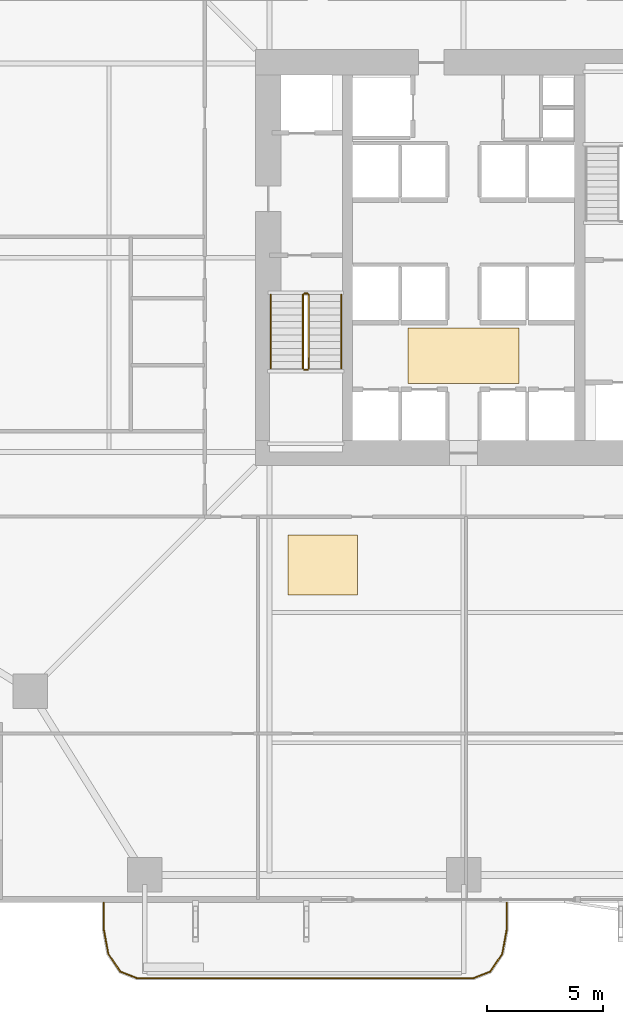
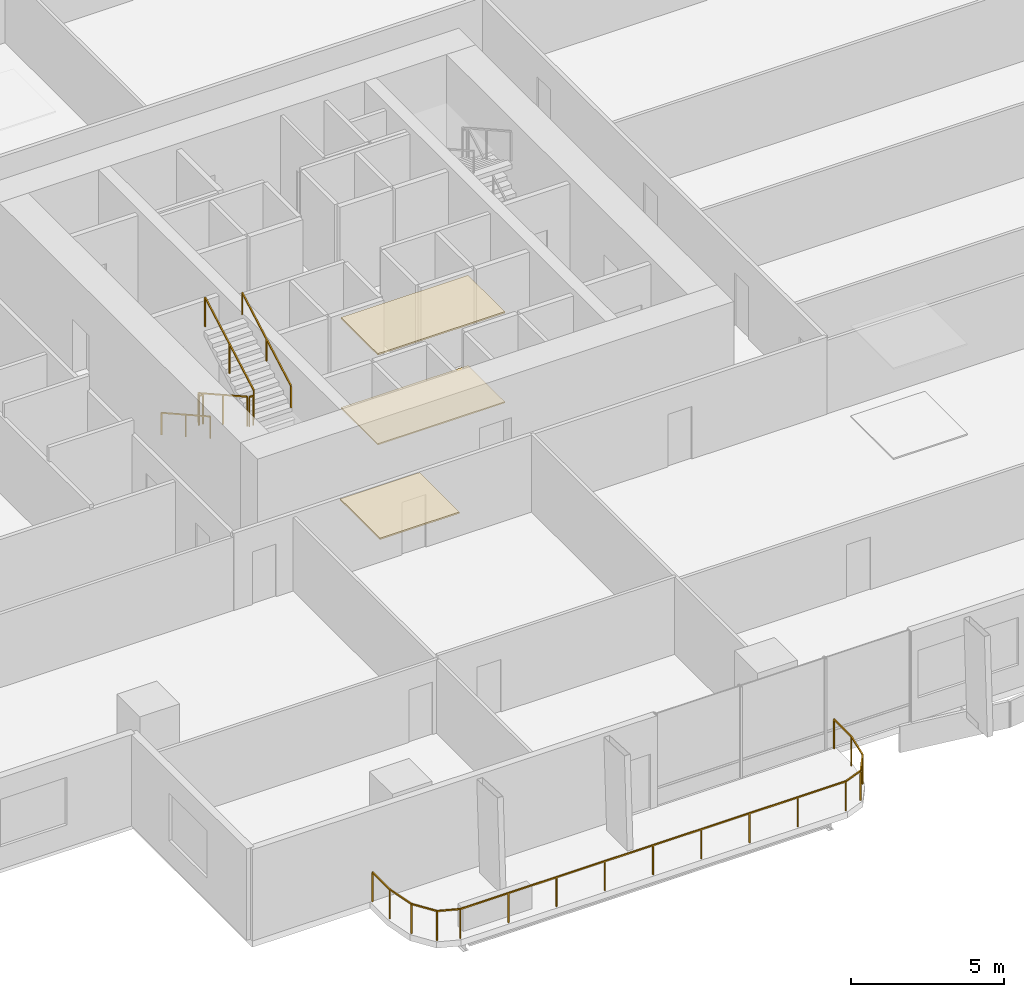
# One storey, part 21 of 23: 7 railings, 3 coverings.
"""IFC4 building model written with IfcOpenShell, lengths in metres."""

from ifc_helpers import new_model, si_unit, direction, frame, origin, origin_2d, place, context, subcontext, project, spatial, polyline, rectangle, outline, extrude, material, layer, layer_set, type_object, element, save


model = new_model("IFC4")

# Units and contexts
model_context = context("Model", 3, precision=1e-05, world=origin(), true_north=direction((0.0, 1.0)))
body_context = subcontext(model_context, "Body", "Model", "MODEL_VIEW")
ifc_project = project(units=[si_unit("LENGTHUNIT", "METRE"), si_unit("AREAUNIT", "SQUARE_METRE"), si_unit("VOLUMEUNIT", "CUBIC_METRE"), si_unit("PLANEANGLEUNIT", "RADIAN"), si_unit("MASSUNIT", "GRAM", prefix="KILO")], contexts=[model_context])

# Site, building, storey
site_placement = place(None, origin())
site = spatial("IfcSite", under=ifc_project, at=site_placement, CompositionType="ELEMENT")
building_placement = place(site_placement, origin())
building = spatial("IfcBuilding", under=site, at=building_placement, Name="Belovzor Exchange Tower", CompositionType="ELEMENT")
storey_placement = place(building_placement, frame((0.0, 0.0, 76.800048828125)))
storey = spatial("IfcBuildingStorey", under=building, at=storey_placement, Name="L18", CompositionType="ELEMENT", Elevation=76.800048828125)

# Railings
ifc_material_1 = material(Name="Stainless Steel Grade 304", Category="steel")
railing_type_1 = type_object("IfcRailingType", Name="Brushed Stainless Steel Stair Handrail 900", PredefinedType="HANDRAIL", material=ifc_material_1)
railing_1_placement = place(storey_placement, frame((20.449951171875, 27.199951171875, 0.162353515625)))
element("IfcRailing", 1, at=railing_1_placement, inside=storey, type_object=railing_type_1, Name="L18 ST-1 stair handrail 1", PredefinedType="HANDRAIL", context=body_context, shape_type="SweptSolid", body=[
    extrude(rectangle(XDim=0.048095703125, YDim=0.048095703125, at=origin_2d()), frame((0.0, 0.0, 0.8759765625), z_axis=(0.0, -0.8723625253, 0.488859514025), x_axis=(1.0, 0.0, 0.0)), (0.0, 0.0, 1.0), 3.65673828125),
    extrude(rectangle(XDim=0.0419921875, YDim=0.0419921875, at=origin_2d()), origin(), (0.0, 0.0, 1.0), 0.851806640625),
    extrude(rectangle(XDim=0.0419921875, YDim=0.0419921875, at=origin_2d()), frame((0.0, -1.594970703125, 0.893798828125)), (0.0, 0.0, 1.0), 0.851806640625),
    extrude(rectangle(XDim=0.0419921875, YDim=0.0419921875, at=origin_2d()), frame((0.0, -3.18994140625, 1.78759765625)), (0.0, 0.0, 1.0), 0.851806640625),
])
railing_2_placement = place(storey_placement, frame((23.5, 24.010009765625, 2.112548828125)))
element("IfcRailing", 2, at=railing_2_placement, inside=storey, type_object=railing_type_1, Name="L18 ST-1 stair handrail 2", PredefinedType="HANDRAIL", context=body_context, shape_type="SweptSolid", body=[
    extrude(rectangle(XDim=0.048095703125, YDim=0.048095703125, at=origin_2d()), frame((0.0, 0.0, 0.8759765625), z_axis=(0.0, 0.872390997893, 0.488808701636), x_axis=(-1.0, 0.0, 0.0)), (0.0, 0.0, 1.0), 3.656494140625),
    extrude(rectangle(XDim=0.0419921875, YDim=0.0419921875, at=origin_2d()), origin(), (0.0, 0.0, 1.0), 0.851806640625),
    extrude(rectangle(XDim=0.0419921875, YDim=0.0419921875, at=origin_2d()), frame((0.0, 1.594970703125, 0.8935546875)), (0.0, 0.0, 1.0), 0.851806640625),
    extrude(rectangle(XDim=0.0419921875, YDim=0.0419921875, at=origin_2d()), frame((0.0, 3.18994140625, 1.787353515625)), (0.0, 0.0, 1.0), 0.851806640625),
])
ifc_material_2 = material(Name="Stainless Steel and Laminated Safety Glass", Category="steel")
railing_type_2 = type_object("IfcRailingType", Name="Laminated Glass & Stainless Steel Balcony Balustrade 1200", PredefinedType="BALUSTRADE", material=ifc_material_2)
railing_3_placement = place(storey_placement, frame((13.22998046875, 0.889892578125, 0.0)))
element("IfcRailing", 3, at=railing_3_placement, inside=storey, type_object=railing_type_2, Name="GR-1 Balcony Balustrade L18 South", PredefinedType="BALUSTRADE", context=body_context, shape_type="SweptSolid", body=[
    extrude(rectangle(XDim=0.048095703125, YDim=0.048095703125, at=origin_2d()), frame((0.0, 0.0, 1.17578125), z_axis=(0.0, -1.0, 0.0), x_axis=(1.0, 0.0, 0.0)), (0.0, 0.0, 1.0), 1.1328125),
    extrude(rectangle(XDim=0.048095703125, YDim=0.048095703125, at=origin_2d()), frame((0.0, -1.1328125, 1.17578125), z_axis=(0.180083182347, -0.983651385113, 0.0), x_axis=(0.983651385113, 0.180083182347, 0.0)), (0.0, 0.0, 1.0), 1.093994140625),
    extrude(rectangle(XDim=0.048095703125, YDim=0.048095703125, at=origin_2d()), frame((0.197021484375, -2.208984375, 1.17578125), z_axis=(0.562768145367, -0.826614792125, 0.0), x_axis=(0.826614792125, 0.562768145367, 0.0)), (0.0, 0.0, 1.0), 0.9326171875),
    extrude(rectangle(XDim=0.048095703125, YDim=0.048095703125, at=origin_2d()), frame((0.721923828125, -2.97998046875, 1.17578125), z_axis=(0.930809580156, -0.365504480807, 0.0), x_axis=(0.365504480807, 0.930809580156, 0.0)), (0.0, 0.0, 1.0), 0.76611328125),
    extrude(rectangle(XDim=0.048095703125, YDim=0.048095703125, at=origin_2d()), frame((1.43505859375, -3.260009765625, 1.17578125), z_axis=(1.0, 0.0, 0.0), x_axis=(0.0, 1.0, 0.0)), (0.0, 0.0, 1.0), 14.570068359375),
    extrude(rectangle(XDim=0.048095703125, YDim=0.048095703125, at=origin_2d()), frame((16.005126953125, -3.260009765625, 1.17578125), z_axis=(0.930766990125, 0.365612923861, 0.0), x_axis=(-0.365612923861, 0.930766990125, 0.0)), (0.0, 0.0, 1.0), 0.765869140625),
    extrude(rectangle(XDim=0.048095703125, YDim=0.048095703125, at=origin_2d()), frame((16.718017578125, -2.97998046875, 1.17578125), z_axis=(0.562768145367, 0.826614792125, 0.0), x_axis=(-0.826614792125, 0.562768145367, 0.0)), (0.0, 0.0, 1.0), 0.9326171875),
    extrude(rectangle(XDim=0.048095703125, YDim=0.048095703125, at=origin_2d()), frame((17.242919921875, -2.208984375, 1.17578125), z_axis=(0.180083182347, 0.983651385113, 0.0), x_axis=(-0.983651385113, 0.180083182347, 0.0)), (0.0, 0.0, 1.0), 1.093994140625),
    extrude(rectangle(XDim=0.048095703125, YDim=0.048095703125, at=origin_2d()), frame((17.43994140625, -1.1328125, 1.17578125), z_axis=(0.0, 1.0, 0.0), x_axis=(-1.0, 0.0, 0.0)), (0.0, 0.0, 1.0), 1.1328125),
    extrude(rectangle(XDim=0.0419921875, YDim=0.0419921875, at=origin_2d()), origin(), (0.0, 0.0, 1.0), 1.15185546875),
    extrude(rectangle(XDim=0.0419921875, YDim=0.0419921875, at=origin_2d()), frame((0.0, -1.1328125, 0.0)), (0.0, 0.0, 1.0), 1.15185546875),
    extrude(rectangle(XDim=0.0419921875, YDim=0.0419921875, at=origin_2d()), frame((0.197021484375, -2.208984375, 0.0)), (0.0, 0.0, 1.0), 1.15185546875),
    extrude(rectangle(XDim=0.0419921875, YDim=0.0419921875, at=origin_2d()), frame((0.721923828125, -2.97998046875, 0.0)), (0.0, 0.0, 1.0), 1.15185546875),
    extrude(rectangle(XDim=0.0419921875, YDim=0.0419921875, at=origin_2d()), frame((1.43505859375, -3.260009765625, 0.0)), (0.0, 0.0, 1.0), 1.15185546875),
    extrude(rectangle(XDim=0.0419921875, YDim=0.0419921875, at=origin_2d()), frame((3.25634765625, -3.260009765625, 0.0)), (0.0, 0.0, 1.0), 1.15185546875),
    extrude(rectangle(XDim=0.0419921875, YDim=0.0419921875, at=origin_2d()), frame((5.07763671875, -3.260009765625, 0.0)), (0.0, 0.0, 1.0), 1.15185546875),
    extrude(rectangle(XDim=0.0419921875, YDim=0.0419921875, at=origin_2d()), frame((6.89892578125, -3.260009765625, 0.0)), (0.0, 0.0, 1.0), 1.15185546875),
    extrude(rectangle(XDim=0.0419921875, YDim=0.0419921875, at=origin_2d()), frame((8.72021484375, -3.260009765625, 0.0)), (0.0, 0.0, 1.0), 1.15185546875),
    extrude(rectangle(XDim=0.0419921875, YDim=0.0419921875, at=origin_2d()), frame((10.541259765625, -3.260009765625, 0.0)), (0.0, 0.0, 1.0), 1.15185546875),
    extrude(rectangle(XDim=0.0419921875, YDim=0.0419921875, at=origin_2d()), frame((12.362548828125, -3.260009765625, 0.0)), (0.0, 0.0, 1.0), 1.15185546875),
    extrude(rectangle(XDim=0.0419921875, YDim=0.0419921875, at=origin_2d()), frame((14.183837890625, -3.260009765625, 0.0)), (0.0, 0.0, 1.0), 1.15185546875),
    extrude(rectangle(XDim=0.0419921875, YDim=0.0419921875, at=origin_2d()), frame((16.005126953125, -3.260009765625, 0.0)), (0.0, 0.0, 1.0), 1.15185546875),
    extrude(rectangle(XDim=0.0419921875, YDim=0.0419921875, at=origin_2d()), frame((16.718017578125, -2.97998046875, 0.0)), (0.0, 0.0, 1.0), 1.15185546875),
    extrude(rectangle(XDim=0.0419921875, YDim=0.0419921875, at=origin_2d()), frame((17.242919921875, -2.208984375, 0.0)), (0.0, 0.0, 1.0), 1.15185546875),
    extrude(rectangle(XDim=0.0419921875, YDim=0.0419921875, at=origin_2d()), frame((17.43994140625, -1.1328125, 0.0)), (0.0, 0.0, 1.0), 1.15185546875),
    extrude(rectangle(XDim=0.0419921875, YDim=0.0419921875, at=origin_2d()), frame((17.43994140625, 0.0, 0.0)), (0.0, 0.0, 1.0), 1.15185546875),
])
ifc_material_3 = material(Name="Steel S355", Category="steel")
railing_type_3 = type_object("IfcRailingType", Name="Painted Steel Stairwell Guardrail 1200", PredefinedType="GUARDRAIL", material=ifc_material_3)
railing_4_placement = place(storey_placement, frame((21.85009765625, 27.199951171875, 0.162353515625)))
element("IfcRailing", 4, at=railing_4_placement, inside=storey, type_object=railing_type_3, Name="L18 ST-1 stair guard 1", PredefinedType="GUARDRAIL", context=body_context, shape_type="SweptSolid", body=[
    extrude(rectangle(XDim=0.048095703125, YDim=0.048095703125, at=origin_2d()), frame((0.0, 0.0, 1.17578125), z_axis=(0.0, -0.8723625253, 0.488859514025), x_axis=(1.0, 0.0, 0.0)), (0.0, 0.0, 1.0), 3.65673828125),
    extrude(rectangle(XDim=0.0419921875, YDim=0.0419921875, at=origin_2d()), origin(), (0.0, 0.0, 1.0), 1.15185546875),
    extrude(rectangle(XDim=0.0419921875, YDim=0.0419921875, at=origin_2d()), frame((0.0, -1.594970703125, 0.893798828125)), (0.0, 0.0, 1.0), 1.15185546875),
    extrude(rectangle(XDim=0.0419921875, YDim=0.0419921875, at=origin_2d()), frame((0.0, -3.18994140625, 1.78759765625)), (0.0, 0.0, 1.0), 1.15185546875),
])
railing_5_placement = place(storey_placement, frame((21.89990234375, 23.9599609375, 1.949951171875)))
element("IfcRailing", 5, at=railing_5_placement, inside=storey, type_object=railing_type_3, Name="L18 ST-1 stair guard 2", PredefinedType="GUARDRAIL", context=body_context, shape_type="SweptSolid", body=[
    extrude(rectangle(XDim=0.048095703125, YDim=0.048095703125, at=origin_2d()), frame((0.0, 0.0, 1.17578125), z_axis=(1.0, 0.0, 0.0), x_axis=(0.0, 1.0, 0.0)), (0.0, 0.0, 1.0), 0.150146484375),
    extrude(rectangle(XDim=0.0419921875, YDim=0.0419921875, at=origin_2d()), origin(), (0.0, 0.0, 1.0), 1.15185546875),
    extrude(rectangle(XDim=0.0419921875, YDim=0.0419921875, at=origin_2d()), frame((0.150146484375, 0.0, 0.0)), (0.0, 0.0, 1.0), 1.15185546875),
])
railing_6_placement = place(storey_placement, frame((22.10009765625, 24.010009765625, 2.112548828125)))
element("IfcRailing", 6, at=railing_6_placement, inside=storey, type_object=railing_type_3, Name="L18 ST-1 stair guard 3", PredefinedType="GUARDRAIL", context=body_context, shape_type="SweptSolid", body=[
    extrude(rectangle(XDim=0.048095703125, YDim=0.048095703125, at=origin_2d()), frame((0.0, 0.0, 1.17578125), z_axis=(0.0, 0.872390997893, 0.488808701636), x_axis=(-1.0, 0.0, 0.0)), (0.0, 0.0, 1.0), 3.656494140625),
    extrude(rectangle(XDim=0.0419921875, YDim=0.0419921875, at=origin_2d()), origin(), (0.0, 0.0, 1.0), 1.15185546875),
    extrude(rectangle(XDim=0.0419921875, YDim=0.0419921875, at=origin_2d()), frame((0.0, 1.594970703125, 0.8935546875)), (0.0, 0.0, 1.0), 1.15185546875),
    extrude(rectangle(XDim=0.0419921875, YDim=0.0419921875, at=origin_2d()), frame((0.0, 3.18994140625, 1.787353515625)), (0.0, 0.0, 1.0), 1.15185546875),
])
railing_7_placement = place(storey_placement, frame((21.89990234375, 27.25, 0.0)))
element("IfcRailing", 7, at=railing_7_placement, inside=storey, type_object=railing_type_3, Name="L18 ST-1 stair guard 4", PredefinedType="GUARDRAIL", context=body_context, shape_type="SweptSolid", body=[
    extrude(rectangle(XDim=0.048095703125, YDim=0.048095703125, at=origin_2d()), frame((0.0, 0.0, 1.17578125), z_axis=(1.0, 0.0, 0.0), x_axis=(0.0, 1.0, 0.0)), (0.0, 0.0, 1.0), 0.150146484375),
    extrude(rectangle(XDim=0.0419921875, YDim=0.0419921875, at=origin_2d()), origin(), (0.0, 0.0, 1.0), 1.15185546875),
    extrude(rectangle(XDim=0.0419921875, YDim=0.0419921875, at=origin_2d()), frame((0.150146484375, 0.0, 0.0)), (0.0, 0.0, 1.0), 1.15185546875),
])

# Coverings
ifc_material_4 = material(Name="Perforated Powder-Coated Aluminium", Category="aluminium")
ifc_layer_1 = layer(ifc_material_4, 0.06005859375)
ifc_layer_set_1 = layer_set([ifc_layer_1], Name="Perforated Powder-Coated Aluminium")
covering_type_1 = type_object("IfcCoveringType", Name="Perforated Acoustic Metal Tile Suspended Ceiling 60", PredefinedType="CEILING", material=ifc_layer_set_1)
covering_1_placement = place(storey_placement, frame((0.0, 0.0, 3.58984375)))
element("IfcCovering", 8, at=covering_1_placement, inside=storey, type_object=covering_type_1, Name="CLG-AC60 Suspended Ceiling CLG-L18-LOB", PredefinedType="CEILING", context=body_context, shape_type="SweptSolid", body=[
    extrude(outline(polyline([(26.39990234375, 23.35009765625), (31.199951171875, 23.35009765625), (31.199951171875, 25.75), (26.39990234375, 25.75), (26.39990234375, 23.35009765625)])), origin(), (0.0, 0.0, 1.0), 0.06005859375),
])
covering_2_placement = place(storey_placement, frame((0.0, 0.0, 3.58984375)))
element("IfcCovering", 9, at=covering_2_placement, inside=storey, type_object=covering_type_1, Name="CLG-AC60 Suspended Ceiling CLG-L18-Z0", PredefinedType="CEILING", context=body_context, shape_type="SweptSolid", body=[
    extrude(outline(polyline([(21.199951171875, 14.199951171875), (24.199951171875, 14.199951171875), (24.199951171875, 16.800048828125), (21.199951171875, 16.800048828125), (21.199951171875, 14.199951171875)])), origin(), (0.0, 0.0, 1.0), 0.06005859375),
])
ifc_material_5 = material(Name="Polished Natural Granite Tile", Category="masonry")
ifc_layer_2 = layer(ifc_material_5, 0.050048828125)
ifc_layer_set_2 = layer_set([ifc_layer_2], Name="Polished Natural Granite Tile")
covering_type_2 = type_object("IfcCoveringType", Name="Polished Karelian Granite & Raised Access Floor Finish 50", PredefinedType="FLOORING", material=ifc_layer_set_2)
covering_3_placement = place(storey_placement, origin())
element("IfcCovering", 10, at=covering_3_placement, inside=storey, type_object=covering_type_2, Name="FLR-GR50 Floor Finish FLR-L18-LOB", PredefinedType="FLOORING", context=body_context, shape_type="SweptSolid", body=[
    extrude(outline(polyline([(26.39990234375, 23.35009765625), (31.199951171875, 23.35009765625), (31.199951171875, 25.75), (26.39990234375, 25.75), (26.39990234375, 23.35009765625)])), origin(), (0.0, 0.0, 1.0), 0.050048828125),
])

save(model, "model.ifc")
